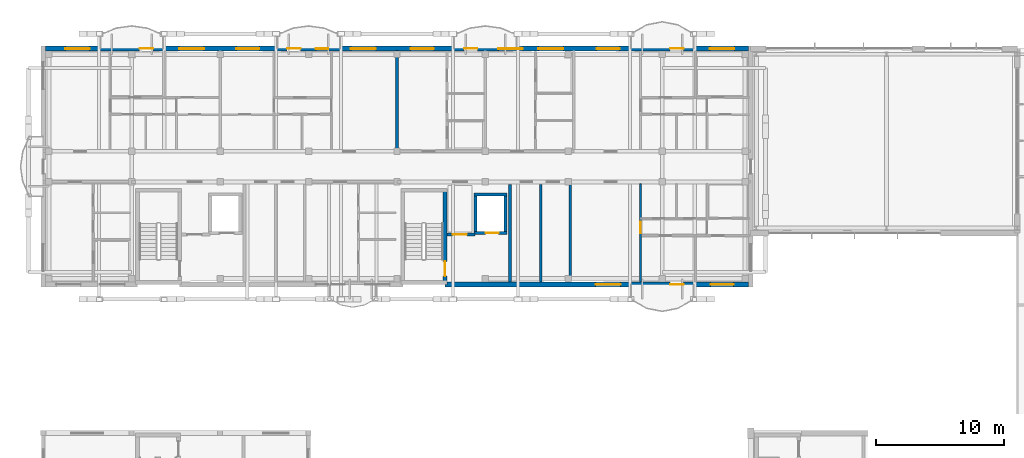
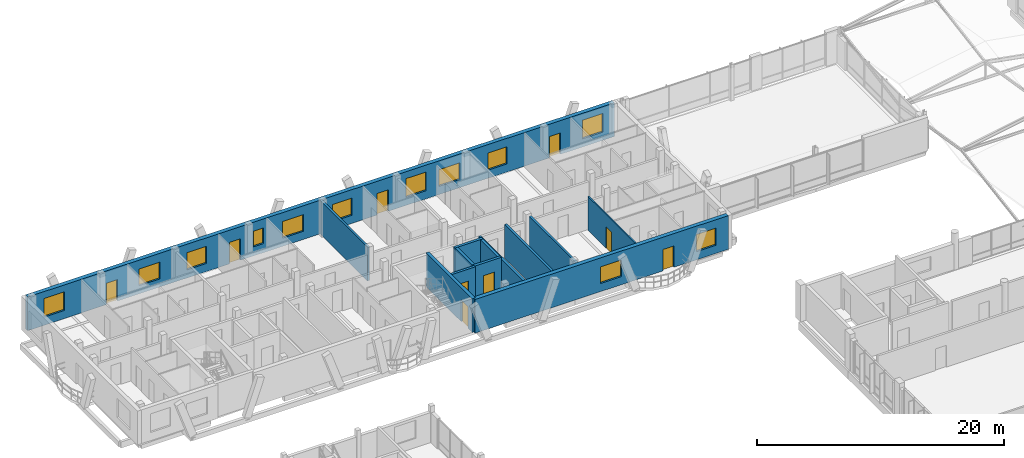
# One storey, part 153 of 189: 13 walls, 12 windows, 9 doors, 21 openings.
"""IFC4 building model written with IfcOpenShell, lengths in metres."""

from ifc_helpers import new_model, si_unit, direction, frame, frame_2d, origin, origin_with_axes, place, context, subcontext, project, spatial, rectangle, extrude, material, layer, layer_set, type_object, element, fill, save


model = new_model("IFC4")

# Units and contexts
model_context = context("Model", 3, precision=1e-05, world=origin(), true_north=direction((0.0, 1.0)))
body_context = subcontext(model_context, "Body", "Model", "MODEL_VIEW")
ifc_project = project(units=[si_unit("LENGTHUNIT", "METRE"), si_unit("AREAUNIT", "SQUARE_METRE"), si_unit("VOLUMEUNIT", "CUBIC_METRE"), si_unit("PLANEANGLEUNIT", "RADIAN"), si_unit("MASSUNIT", "GRAM", prefix="KILO")], contexts=[model_context])

# Site, building, storey
site_placement = place(None, origin())
site = spatial("IfcSite", under=ifc_project, at=site_placement, CompositionType="ELEMENT")
building_placement = place(site_placement, origin())
building = spatial("IfcBuilding", under=site, at=building_placement, Name="Zavelmont Quarter", CompositionType="ELEMENT")
storey_placement = place(building_placement, frame((0.0, 0.0, 4.39990234375)))
storey = spatial("IfcBuildingStorey", under=building, at=storey_placement, Name="L01", CompositionType="ELEMENT", Elevation=4.39990234375)

# Wall, openings, door, windows
ifc_material_1 = material(Name="Natural Belgian limestone", Category="masonry")
ifc_layer_1 = layer(ifc_material_1, 0.3798828125)
ifc_layer_set_1 = layer_set([ifc_layer_1], Name="Natural Belgian limestone")
wall_type_1 = type_object("IfcWallType", Name="EW01", PredefinedType="STANDARD", material=ifc_layer_set_1)
wall_1_placement = place(storey_placement, frame((31.35009765625, 97.60009765625, 0.0), z_axis=(0.0, 0.0, 1.0), x_axis=(1.0, 0.0, 0.0)))
wall_1 = element("IfcWall", 1, at=wall_1_placement, inside=storey, type_object=wall_type_1, Name="L01 exterior limestone wall EW01", PredefinedType="STANDARD", context=body_context, shape_type="SweptSolid", body=[
    extrude(rectangle(XDim=23.669921875, YDim=0.3798828125, at=frame_2d((11.8349609375, 0.0))), origin(), (0.0, 0.0, 1.0), 3.330078125),
])
opening_1_placement = place(wall_1_placement, frame((17.570068359375, 0.0, 0.0)))
opening_1 = element("IfcOpeningElement", 2, at=opening_1_placement, cuts=wall_1, Name="Opening DR04A", PredefinedType="OPENING", context=body_context, shape_type="SweptSolid", body=[
    extrude(rectangle(XDim=1.050048828125, YDim=2.1201171875, at=frame_2d((0.52490234375, 1.06005859375))), frame((0.0, 0.201904296875, 0.0), z_axis=(0.0, -1.0, 0.0), x_axis=(1.0, 0.0, 0.0)), (0.0, 0.0, 1.0), 0.40380859375),
])
opening_2_placement = place(wall_1_placement, frame((11.7451171875, 0.0, 0.800048828125)))
opening_2 = element("IfcOpeningElement", 3, at=opening_2_placement, cuts=wall_1, Name="Opening WN24", PredefinedType="OPENING", context=body_context, shape_type="SweptSolid", body=[
    extrude(rectangle(XDim=1.949951171875, YDim=1.64990234375, at=frame_2d((0.97509765625, 0.824951171875))), frame((0.0, 0.201904296875, 0.0), z_axis=(0.0, -1.0, 0.0), x_axis=(1.0, 0.0, 0.0)), (0.0, 0.0, 1.0), 0.40380859375),
])
opening_3_placement = place(wall_1_placement, frame((20.719970703125, 0.0, 0.800048828125)))
opening_3 = element("IfcOpeningElement", 4, at=opening_3_placement, cuts=wall_1, Name="Opening WN02", PredefinedType="OPENING", context=body_context, shape_type="SweptSolid", body=[
    extrude(rectangle(XDim=1.800048828125, YDim=1.699951171875, at=frame_2d((0.89990234375, 0.85009765625))), frame((0.0, 0.201904296875, 0.0), z_axis=(0.0, -1.0, 0.0), x_axis=(1.0, 0.0, 0.0)), (0.0, 0.0, 1.0), 0.40380859375),
])
ifc_material_2 = material(Name="Thermally broken aluminium and double safety glass", Category="aluminium")
door_type_1 = type_object("IfcDoorType", Name="DR04A", OperationType="NOTDEFINED", PredefinedType="DOOR", material=ifc_material_2)
door_1_placement = place(opening_1_placement, origin_with_axes())
door_1 = element("IfcDoor", 5, at=door_1_placement, inside=storey, type_object=door_type_1, Name="Block B L01 glazed balcony door", OperationType="SINGLE_SWING_LEFT", OverallHeight=2.1201171875, OverallWidth=1.050048828125, PredefinedType="DOOR", context=body_context, shape_type="SweptSolid", body=[
    extrude(rectangle(XDim=1.050048828125, YDim=2.1201171875, at=frame_2d((0.52490234375, 1.06005859375))), frame((0.0, 0.02490234375, 0.0), z_axis=(0.0, -1.0, 0.0), x_axis=(1.0, 0.0, 0.0)), (0.0, 0.0, 1.0), 0.050048828125),
])
fill(opening_1, door_1)
ifc_material_3 = material(Name="Double low-E insulated glazing in thermally broken aluminium frame", Category="aluminium")
window_type_1 = type_object("IfcWindowType", Name="WN02", PartitioningType="SINGLE_PANEL", PredefinedType="WINDOW", material=ifc_material_3)
window_1_placement = place(opening_3_placement, origin_with_axes())
window_1 = element("IfcWindow", 6, at=window_1_placement, inside=storey, type_object=window_type_1, Name="L01 window WN02", OverallHeight=1.699951171875, OverallWidth=1.800048828125, PartitioningType="SINGLE_PANEL", PredefinedType="WINDOW", context=body_context, shape_type="SweptSolid", body=[
    extrude(rectangle(XDim=1.800048828125, YDim=1.699951171875, at=frame_2d((0.89990234375, 0.85009765625))), frame((0.0, 0.030029296875, 0.0), z_axis=(0.0, -1.0, 0.0), x_axis=(1.0, 0.0, 0.0)), (0.0, 0.0, 1.0), 0.06005859375),
])
fill(opening_3, window_1)
window_type_2 = type_object("IfcWindowType", Name="WN24", PartitioningType="SINGLE_PANEL", PredefinedType="WINDOW", material=ifc_material_3)
window_2_placement = place(opening_2_placement, origin_with_axes())
window_2 = element("IfcWindow", 7, at=window_2_placement, inside=storey, type_object=window_type_2, Name="L01 window WN24", OverallHeight=1.64990234375, OverallWidth=1.949951171875, PartitioningType="SINGLE_PANEL", PredefinedType="WINDOW", context=body_context, shape_type="SweptSolid", body=[
    extrude(rectangle(XDim=1.949951171875, YDim=1.64990234375, at=frame_2d((0.97509765625, 0.824951171875))), frame((0.0, 0.030029296875, 0.0), z_axis=(0.0, -1.0, 0.0), x_axis=(1.0, 0.0, 0.0)), (0.0, 0.0, 1.0), 0.06005859375),
])
fill(opening_2, window_2)

# Wall, openings, doors, windows
wall_2_placement = place(storey_placement, frame((0.179931640625, 116.0, 0.0), z_axis=(0.0, 0.0, 1.0), x_axis=(1.0, 0.0, 0.0)))
wall_2 = element("IfcWall", 8, at=wall_2_placement, inside=storey, type_object=wall_type_1, Name="L01 exterior limestone wall EW01", PredefinedType="STANDARD", context=body_context, shape_type="SweptSolid", body=[
    extrude(rectangle(XDim=54.840087890625, YDim=0.3798828125, at=frame_2d((27.419921875, 0.0))), origin(), (0.0, 0.0, 1.0), 3.330078125),
])
opening_4_placement = place(wall_2_placement, frame((7.340087890625, 0.0, 0.0)))
opening_4 = element("IfcOpeningElement", 9, at=opening_4_placement, cuts=wall_2, Name="Opening DR04A", PredefinedType="OPENING", context=body_context, shape_type="SweptSolid", body=[
    extrude(rectangle(XDim=1.050048828125, YDim=2.1201171875, at=frame_2d((0.52490234375, 1.06005859375))), frame((0.0, 0.201904296875, 0.0), z_axis=(0.0, -1.0, 0.0), x_axis=(1.0, 0.0, 0.0)), (0.0, 0.0, 1.0), 0.40380859375),
])
opening_5_placement = place(wall_2_placement, frame((18.850830078125, 0.0, 0.0)))
opening_5 = element("IfcOpeningElement", 10, at=opening_5_placement, cuts=wall_2, Name="Opening DR04A", PredefinedType="OPENING", context=body_context, shape_type="SweptSolid", body=[
    extrude(rectangle(XDim=1.050048828125, YDim=2.1201171875, at=frame_2d((0.52490234375, 1.06005859375))), frame((0.0, 0.201904296875, 0.0), z_axis=(0.0, -1.0, 0.0), x_axis=(1.0, 0.0, 0.0)), (0.0, 0.0, 1.0), 0.40380859375),
])
opening_6_placement = place(wall_2_placement, frame((32.65087890625, 0.0, 0.0)))
opening_6 = element("IfcOpeningElement", 11, at=opening_6_placement, cuts=wall_2, Name="Opening DR04A", PredefinedType="OPENING", context=body_context, shape_type="SweptSolid", body=[
    extrude(rectangle(XDim=1.050048828125, YDim=2.1201171875, at=frame_2d((0.52490234375, 1.06005859375))), frame((0.0, 0.201904296875, 0.0), z_axis=(0.0, -1.0, 0.0), x_axis=(1.0, 0.0, 0.0)), (0.0, 0.0, 1.0), 0.40380859375),
])
opening_7_placement = place(wall_2_placement, frame((48.739990234375, 0.0, 0.0)))
opening_7 = element("IfcOpeningElement", 12, at=opening_7_placement, cuts=wall_2, Name="Opening DR04A", PredefinedType="OPENING", context=body_context, shape_type="SweptSolid", body=[
    extrude(rectangle(XDim=1.050048828125, YDim=2.1201171875, at=frame_2d((0.52490234375, 1.06005859375))), frame((0.0, 0.201904296875, 0.0), z_axis=(0.0, -1.0, 0.0), x_axis=(1.0, 0.0, 0.0)), (0.0, 0.0, 1.0), 0.40380859375),
])
opening_8_placement = place(wall_2_placement, frame((1.5400390625, 0.0, 0.800048828125)))
opening_8 = element("IfcOpeningElement", 13, at=opening_8_placement, cuts=wall_2, Name="Opening WN20", PredefinedType="OPENING", context=body_context, shape_type="SweptSolid", body=[
    extrude(rectangle(XDim=1.89990234375, YDim=1.85009765625, at=frame_2d((0.949951171875, 0.925048828125))), frame((0.0, 0.201904296875, 0.0), z_axis=(0.0, -1.0, 0.0), x_axis=(1.0, 0.0, 0.0)), (0.0, 0.0, 1.0), 0.40380859375),
])
opening_9_placement = place(wall_2_placement, frame((10.4150390625, 0.0, 0.800048828125)))
opening_9 = element("IfcOpeningElement", 14, at=opening_9_placement, cuts=wall_2, Name="Opening WN24", PredefinedType="OPENING", context=body_context, shape_type="SweptSolid", body=[
    extrude(rectangle(XDim=1.949951171875, YDim=1.64990234375, at=frame_2d((0.97509765625, 0.824951171875))), frame((0.0, 0.201904296875, 0.0), z_axis=(0.0, -1.0, 0.0), x_axis=(1.0, 0.0, 0.0)), (0.0, 0.0, 1.0), 0.40380859375),
])
opening_10_placement = place(wall_2_placement, frame((14.889892578125, 0.0, 0.800048828125)))
opening_10 = element("IfcOpeningElement", 15, at=opening_10_placement, cuts=wall_2, Name="Opening WN02", PredefinedType="OPENING", context=body_context, shape_type="SweptSolid", body=[
    extrude(rectangle(XDim=1.800048828125, YDim=1.699951171875, at=frame_2d((0.89990234375, 0.85009765625))), frame((0.0, 0.201904296875, 0.0), z_axis=(0.0, -1.0, 0.0), x_axis=(1.0, 0.0, 0.0)), (0.0, 0.0, 1.0), 0.40380859375),
])
opening_11_placement = place(wall_2_placement, frame((21.090087890625, 0.0, 0.89990234375)))
opening_11 = element("IfcOpeningElement", 16, at=opening_11_placement, cuts=wall_2, Name="Opening WN04", PredefinedType="OPENING", context=body_context, shape_type="SweptSolid", body=[
    extrude(rectangle(XDim=0.949951171875, YDim=1.550048828125, at=frame_2d((0.47509765625, 0.77490234375))), frame((0.0, 0.201904296875, 0.0), z_axis=(0.0, -1.0, 0.0), x_axis=(1.0, 0.0, 0.0)), (0.0, 0.0, 1.0), 0.40380859375),
])
opening_12_placement = place(wall_2_placement, frame((23.81494140625, 0.0, 0.800048828125)))
opening_12 = element("IfcOpeningElement", 17, at=opening_12_placement, cuts=wall_2, Name="Opening WN24", PredefinedType="OPENING", context=body_context, shape_type="SweptSolid", body=[
    extrude(rectangle(XDim=1.949951171875, YDim=1.64990234375, at=frame_2d((0.97509765625, 0.824951171875))), frame((0.0, 0.201904296875, 0.0), z_axis=(0.0, -1.0, 0.0), x_axis=(1.0, 0.0, 0.0)), (0.0, 0.0, 1.0), 0.40380859375),
])
opening_13_placement = place(wall_2_placement, frame((28.489990234375, 0.0, 0.800048828125)))
opening_13 = element("IfcOpeningElement", 18, at=opening_13_placement, cuts=wall_2, Name="Opening WN02", PredefinedType="OPENING", context=body_context, shape_type="SweptSolid", body=[
    extrude(rectangle(XDim=1.800048828125, YDim=1.699951171875, at=frame_2d((0.89990234375, 0.85009765625))), frame((0.0, 0.201904296875, 0.0), z_axis=(0.0, -1.0, 0.0), x_axis=(1.0, 0.0, 0.0)), (0.0, 0.0, 1.0), 0.40380859375),
])
opening_14_placement = place(wall_2_placement, frame((35.340087890625, 0.0, 0.800048828125)))
opening_14 = element("IfcOpeningElement", 19, at=opening_14_placement, cuts=wall_2, Name="Opening WN20", PredefinedType="OPENING", context=body_context, shape_type="SweptSolid", body=[
    extrude(rectangle(XDim=1.89990234375, YDim=1.85009765625, at=frame_2d((0.949951171875, 0.925048828125))), frame((0.0, 0.201904296875, 0.0), z_axis=(0.0, -1.0, 0.0), x_axis=(1.0, 0.0, 0.0)), (0.0, 0.0, 1.0), 0.40380859375),
])
opening_15_placement = place(wall_2_placement, frame((38.455078125, 0.0, 0.800048828125)))
opening_15 = element("IfcOpeningElement", 20, at=opening_15_placement, cuts=wall_2, Name="Opening WN24", PredefinedType="OPENING", context=body_context, shape_type="SweptSolid", body=[
    extrude(rectangle(XDim=1.949951171875, YDim=1.64990234375, at=frame_2d((0.97509765625, 0.824951171875))), frame((0.0, 0.201904296875, 0.0), z_axis=(0.0, -1.0, 0.0), x_axis=(1.0, 0.0, 0.0)), (0.0, 0.0, 1.0), 0.40380859375),
])
opening_16_placement = place(wall_2_placement, frame((42.989990234375, 0.0, 0.800048828125)))
opening_16 = element("IfcOpeningElement", 21, at=opening_16_placement, cuts=wall_2, Name="Opening WN02", PredefinedType="OPENING", context=body_context, shape_type="SweptSolid", body=[
    extrude(rectangle(XDim=1.800048828125, YDim=1.699951171875, at=frame_2d((0.89990234375, 0.85009765625))), frame((0.0, 0.201904296875, 0.0), z_axis=(0.0, -1.0, 0.0), x_axis=(1.0, 0.0, 0.0)), (0.0, 0.0, 1.0), 0.40380859375),
])
opening_17_placement = place(wall_2_placement, frame((51.840087890625, 0.0, 0.800048828125)))
opening_17 = element("IfcOpeningElement", 22, at=opening_17_placement, cuts=wall_2, Name="Opening WN20", PredefinedType="OPENING", context=body_context, shape_type="SweptSolid", body=[
    extrude(rectangle(XDim=1.89990234375, YDim=1.85009765625, at=frame_2d((0.949951171875, 0.925048828125))), frame((0.0, 0.201904296875, 0.0), z_axis=(0.0, -1.0, 0.0), x_axis=(1.0, 0.0, 0.0)), (0.0, 0.0, 1.0), 0.40380859375),
])
door_2_placement = place(opening_4_placement, frame((1.050048828125, 0.0, 0.0), z_axis=(0.0, 0.0, 1.0), x_axis=(-1.0, 0.0, 0.0)))
door_2 = element("IfcDoor", 23, at=door_2_placement, inside=storey, type_object=door_type_1, Name="Block B L01 glazed balcony door", OperationType="SINGLE_SWING_RIGHT", OverallHeight=2.1201171875, OverallWidth=1.050048828125, PredefinedType="DOOR", context=body_context, shape_type="SweptSolid", body=[
    extrude(rectangle(XDim=1.050048828125, YDim=2.1201171875, at=frame_2d((0.52490234375, 1.06005859375))), frame((0.0, 0.02490234375, 0.0), z_axis=(0.0, -1.0, 0.0), x_axis=(1.0, 0.0, 0.0)), (0.0, 0.0, 1.0), 0.050048828125),
])
fill(opening_4, door_2)
door_3_placement = place(opening_5_placement, frame((1.050048828125, 0.0, 0.0), z_axis=(0.0, 0.0, 1.0), x_axis=(-1.0, 0.0, 0.0)))
door_3 = element("IfcDoor", 24, at=door_3_placement, inside=storey, type_object=door_type_1, Name="Block B L01 glazed balcony door", OperationType="SINGLE_SWING_LEFT", OverallHeight=2.1201171875, OverallWidth=1.050048828125, PredefinedType="DOOR", context=body_context, shape_type="SweptSolid", body=[
    extrude(rectangle(XDim=1.050048828125, YDim=2.1201171875, at=frame_2d((0.52490234375, 1.06005859375))), frame((0.0, 0.02490234375, 0.0), z_axis=(0.0, -1.0, 0.0), x_axis=(1.0, 0.0, 0.0)), (0.0, 0.0, 1.0), 0.050048828125),
])
fill(opening_5, door_3)
door_4_placement = place(opening_6_placement, frame((1.050048828125, 0.0, 0.0), z_axis=(0.0, 0.0, 1.0), x_axis=(-1.0, 0.0, 0.0)))
door_4 = element("IfcDoor", 25, at=door_4_placement, inside=storey, type_object=door_type_1, Name="Block B L01 glazed balcony door", OperationType="SINGLE_SWING_LEFT", OverallHeight=2.1201171875, OverallWidth=1.050048828125, PredefinedType="DOOR", context=body_context, shape_type="SweptSolid", body=[
    extrude(rectangle(XDim=1.050048828125, YDim=2.1201171875, at=frame_2d((0.52490234375, 1.06005859375))), frame((0.0, 0.02490234375, 0.0), z_axis=(0.0, -1.0, 0.0), x_axis=(1.0, 0.0, 0.0)), (0.0, 0.0, 1.0), 0.050048828125),
])
fill(opening_6, door_4)
door_5_placement = place(opening_7_placement, frame((1.050048828125, 0.0, 0.0), z_axis=(0.0, 0.0, 1.0), x_axis=(-1.0, 0.0, 0.0)))
door_5 = element("IfcDoor", 26, at=door_5_placement, inside=storey, type_object=door_type_1, Name="Block B L01 glazed balcony door", OperationType="SINGLE_SWING_RIGHT", OverallHeight=2.1201171875, OverallWidth=1.050048828125, PredefinedType="DOOR", context=body_context, shape_type="SweptSolid", body=[
    extrude(rectangle(XDim=1.050048828125, YDim=2.1201171875, at=frame_2d((0.52490234375, 1.06005859375))), frame((0.0, 0.02490234375, 0.0), z_axis=(0.0, -1.0, 0.0), x_axis=(1.0, 0.0, 0.0)), (0.0, 0.0, 1.0), 0.050048828125),
])
fill(opening_7, door_5)
window_3_placement = place(opening_10_placement, origin_with_axes())
window_3 = element("IfcWindow", 27, at=window_3_placement, inside=storey, type_object=window_type_1, Name="L01 window WN02", OverallHeight=1.699951171875, OverallWidth=1.800048828125, PartitioningType="SINGLE_PANEL", PredefinedType="WINDOW", context=body_context, shape_type="SweptSolid", body=[
    extrude(rectangle(XDim=1.800048828125, YDim=1.699951171875, at=frame_2d((0.89990234375, 0.85009765625))), frame((0.0, 0.030029296875, 0.0), z_axis=(0.0, -1.0, 0.0), x_axis=(1.0, 0.0, 0.0)), (0.0, 0.0, 1.0), 0.06005859375),
])
fill(opening_10, window_3)
window_4_placement = place(opening_13_placement, origin_with_axes())
window_4 = element("IfcWindow", 28, at=window_4_placement, inside=storey, type_object=window_type_1, Name="L01 window WN02", OverallHeight=1.699951171875, OverallWidth=1.800048828125, PartitioningType="SINGLE_PANEL", PredefinedType="WINDOW", context=body_context, shape_type="SweptSolid", body=[
    extrude(rectangle(XDim=1.800048828125, YDim=1.699951171875, at=frame_2d((0.89990234375, 0.85009765625))), frame((0.0, 0.030029296875, 0.0), z_axis=(0.0, -1.0, 0.0), x_axis=(1.0, 0.0, 0.0)), (0.0, 0.0, 1.0), 0.06005859375),
])
fill(opening_13, window_4)
window_5_placement = place(opening_16_placement, origin_with_axes())
window_5 = element("IfcWindow", 29, at=window_5_placement, inside=storey, type_object=window_type_1, Name="L01 window WN02", OverallHeight=1.699951171875, OverallWidth=1.800048828125, PartitioningType="SINGLE_PANEL", PredefinedType="WINDOW", context=body_context, shape_type="SweptSolid", body=[
    extrude(rectangle(XDim=1.800048828125, YDim=1.699951171875, at=frame_2d((0.89990234375, 0.85009765625))), frame((0.0, 0.030029296875, 0.0), z_axis=(0.0, -1.0, 0.0), x_axis=(1.0, 0.0, 0.0)), (0.0, 0.0, 1.0), 0.06005859375),
])
fill(opening_16, window_5)
window_type_3 = type_object("IfcWindowType", Name="WN04", PartitioningType="SINGLE_PANEL", PredefinedType="WINDOW", material=ifc_material_3)
window_6_placement = place(opening_11_placement, origin_with_axes())
window_6 = element("IfcWindow", 30, at=window_6_placement, inside=storey, type_object=window_type_3, Name="L01 window WN04", OverallHeight=1.550048828125, OverallWidth=0.949951171875, PartitioningType="SINGLE_PANEL", PredefinedType="WINDOW", context=body_context, shape_type="SweptSolid", body=[
    extrude(rectangle(XDim=0.949951171875, YDim=1.550048828125, at=frame_2d((0.47509765625, 0.77490234375))), frame((0.0, 0.030029296875, 0.0), z_axis=(0.0, -1.0, 0.0), x_axis=(1.0, 0.0, 0.0)), (0.0, 0.0, 1.0), 0.06005859375),
])
fill(opening_11, window_6)
window_type_4 = type_object("IfcWindowType", Name="WN20", PartitioningType="SINGLE_PANEL", PredefinedType="WINDOW", material=ifc_material_3)
window_7_placement = place(opening_8_placement, origin_with_axes())
window_7 = element("IfcWindow", 31, at=window_7_placement, inside=storey, type_object=window_type_4, Name="L01 window WN20", OverallHeight=1.85009765625, OverallWidth=1.89990234375, PartitioningType="SINGLE_PANEL", PredefinedType="WINDOW", context=body_context, shape_type="SweptSolid", body=[
    extrude(rectangle(XDim=1.89990234375, YDim=1.85009765625, at=frame_2d((0.949951171875, 0.925048828125))), frame((0.0, 0.030029296875, 0.0), z_axis=(0.0, -1.0, 0.0), x_axis=(1.0, 0.0, 0.0)), (0.0, 0.0, 1.0), 0.06005859375),
])
fill(opening_8, window_7)
window_8_placement = place(opening_14_placement, origin_with_axes())
window_8 = element("IfcWindow", 32, at=window_8_placement, inside=storey, type_object=window_type_4, Name="L01 window WN20", OverallHeight=1.85009765625, OverallWidth=1.89990234375, PartitioningType="SINGLE_PANEL", PredefinedType="WINDOW", context=body_context, shape_type="SweptSolid", body=[
    extrude(rectangle(XDim=1.89990234375, YDim=1.85009765625, at=frame_2d((0.949951171875, 0.925048828125))), frame((0.0, 0.030029296875, 0.0), z_axis=(0.0, -1.0, 0.0), x_axis=(1.0, 0.0, 0.0)), (0.0, 0.0, 1.0), 0.06005859375),
])
fill(opening_14, window_8)
window_9_placement = place(opening_17_placement, origin_with_axes())
window_9 = element("IfcWindow", 33, at=window_9_placement, inside=storey, type_object=window_type_4, Name="L01 window WN20", OverallHeight=1.85009765625, OverallWidth=1.89990234375, PartitioningType="SINGLE_PANEL", PredefinedType="WINDOW", context=body_context, shape_type="SweptSolid", body=[
    extrude(rectangle(XDim=1.89990234375, YDim=1.85009765625, at=frame_2d((0.949951171875, 0.925048828125))), frame((0.0, 0.030029296875, 0.0), z_axis=(0.0, -1.0, 0.0), x_axis=(1.0, 0.0, 0.0)), (0.0, 0.0, 1.0), 0.06005859375),
])
fill(opening_17, window_9)
window_10_placement = place(opening_9_placement, origin_with_axes())
window_10 = element("IfcWindow", 34, at=window_10_placement, inside=storey, type_object=window_type_2, Name="L01 window WN24", OverallHeight=1.64990234375, OverallWidth=1.949951171875, PartitioningType="SINGLE_PANEL", PredefinedType="WINDOW", context=body_context, shape_type="SweptSolid", body=[
    extrude(rectangle(XDim=1.949951171875, YDim=1.64990234375, at=frame_2d((0.97509765625, 0.824951171875))), frame((0.0, 0.030029296875, 0.0), z_axis=(0.0, -1.0, 0.0), x_axis=(1.0, 0.0, 0.0)), (0.0, 0.0, 1.0), 0.06005859375),
])
fill(opening_9, window_10)
window_11_placement = place(opening_12_placement, origin_with_axes())
window_11 = element("IfcWindow", 35, at=window_11_placement, inside=storey, type_object=window_type_2, Name="L01 window WN24", OverallHeight=1.64990234375, OverallWidth=1.949951171875, PartitioningType="SINGLE_PANEL", PredefinedType="WINDOW", context=body_context, shape_type="SweptSolid", body=[
    extrude(rectangle(XDim=1.949951171875, YDim=1.64990234375, at=frame_2d((0.97509765625, 0.824951171875))), frame((0.0, 0.030029296875, 0.0), z_axis=(0.0, -1.0, 0.0), x_axis=(1.0, 0.0, 0.0)), (0.0, 0.0, 1.0), 0.06005859375),
])
fill(opening_12, window_11)
window_12_placement = place(opening_15_placement, origin_with_axes())
window_12 = element("IfcWindow", 36, at=window_12_placement, inside=storey, type_object=window_type_2, Name="L01 window WN24", OverallHeight=1.64990234375, OverallWidth=1.949951171875, PartitioningType="SINGLE_PANEL", PredefinedType="WINDOW", context=body_context, shape_type="SweptSolid", body=[
    extrude(rectangle(XDim=1.949951171875, YDim=1.64990234375, at=frame_2d((0.97509765625, 0.824951171875))), frame((0.0, 0.030029296875, 0.0), z_axis=(0.0, -1.0, 0.0), x_axis=(1.0, 0.0, 0.0)), (0.0, 0.0, 1.0), 0.06005859375),
])
fill(opening_15, window_12)

# Walls
ifc_material_4 = material(Name="Calcium-silicate blockwork and acoustic plaster", Category="masonry")
ifc_layer_2 = layer(ifc_material_4, 0.199951171875)
ifc_layer_set_2 = layer_set([ifc_layer_2], Name="Calcium-silicate blockwork and acoustic plaster")
wall_type_2 = type_object("IfcWallType", Name="IW01", PredefinedType="PARTITIONING", material=ifc_layer_set_2)
for number, where, z_axis, x_axis, name in (
    (37, (38.824951171875, 97.800048828125, 0.0), (0.0, 0.0, 1.0), (0.0, 1.0, 0.0), "L01 Service riser divider wall IW01"),
    (38, (41.1201171875, 97.800048828125, 0.0), (0.0, 0.0, 1.0), (0.0, 1.0, 0.0), "L01 Core service end wall IW01"),
):
    element("IfcWall", number, at=place(storey_placement, frame(where, z_axis=z_axis, x_axis=x_axis)), inside=storey, type_object=wall_type_2, Name=name, PredefinedType="PARTITIONING", context=body_context, shape_type="SweptSolid", body=[
        extrude(rectangle(XDim=7.599853515625, YDim=0.199951171875, at=frame_2d((3.7998046875, 0.0))), origin(), (0.0, 0.0, 1.0), 3.330078125),
    ])
wall_3_placement = place(storey_placement, frame((27.60009765625, 108.14990234375, 0.0), z_axis=(0.0, 0.0, 1.0), x_axis=(0.0, 1.0, 0.0)))
element("IfcWall", 39, at=wall_3_placement, inside=storey, type_object=wall_type_2, Name="L01 Inter-dwelling compartment wall IW01", PredefinedType="PARTITIONING", context=body_context, shape_type="SweptSolid", body=[
    extrude(rectangle(XDim=7.7001953125, YDim=0.199951171875, at=frame_2d((3.85009765625, 0.0))), origin(), (0.0, 0.0, 1.0), 3.330078125),
])
ifc_material_5 = material(Name="Reinforced masonry fire compartment wall", Category="masonry")
ifc_layer_3 = layer(ifc_material_5, 0.22509765625)
ifc_layer_set_3 = layer_set([ifc_layer_3], Name="Reinforced masonry fire compartment wall")
wall_type_3 = type_object("IfcWallType", Name="IW02", PredefinedType="PARTITIONING", material=ifc_layer_set_3)
wall_4_placement = place(storey_placement, frame((36.409912109375, 97.800048828125, 0.0), z_axis=(0.0, 0.0, 1.0), x_axis=(0.0, 1.0, 0.0)))
element("IfcWall", 40, at=wall_4_placement, inside=storey, type_object=wall_type_3, Name="L01 Firefighting lobby enclosure wall IW02", PredefinedType="PARTITIONING", context=body_context, shape_type="SweptSolid", body=[
    extrude(rectangle(XDim=7.599853515625, YDim=0.22509765625, at=frame_2d((3.7998046875, 0.0))), origin(), (0.0, 0.0, 1.0), 2.989990234375),
])

# Wall, opening, door
wall_5_placement = place(storey_placement, frame((31.5, 101.5, 0.0), z_axis=(0.0, 0.0, 1.0), x_axis=(1.0, 0.0, 0.0)))
wall_5 = element("IfcWall", 41, at=wall_5_placement, inside=storey, type_object=wall_type_3, Name="L01 Firefighting lobby threshold wall IW02", PredefinedType="PARTITIONING", context=body_context, shape_type="SweptSolid", body=[
    extrude(rectangle(XDim=2.199951171875, YDim=0.22509765625, at=frame_2d((1.10009765625, 0.0))), origin(), (0.0, 0.0, 1.0), 3.330078125),
])
opening_18_placement = place(wall_5_placement, frame((0.449951171875, 0.0, 0.0)))
opening_18 = element("IfcOpeningElement", 42, at=opening_18_placement, cuts=wall_5, Name="Opening DR10", PredefinedType="OPENING", context=body_context, shape_type="SweptSolid", body=[
    extrude(rectangle(XDim=1.10009765625, YDim=2.14990234375, at=frame_2d((0.550048828125, 1.074951171875))), frame((0.0, 0.12451171875, 0.0), z_axis=(0.0, -1.0, 0.0), x_axis=(1.0, 0.0, 0.0)), (0.0, 0.0, 1.0), 0.2490234375),
])
ifc_material_6 = material(Name="Painted steel lobby fire door", Category="steel")
door_type_2 = type_object("IfcDoorType", Name="DR10", OperationType="NOTDEFINED", PredefinedType="DOOR", material=ifc_material_6)
door_6_placement = place(opening_18_placement, frame((1.10009765625, 0.0, 0.0), z_axis=(0.0, 0.0, 1.0), x_axis=(-1.0, 0.0, 0.0)))
door_6 = element("IfcDoor", 43, at=door_6_placement, inside=storey, type_object=door_type_2, Name="Firefighting lobby fire door", OperationType="SINGLE_SWING_RIGHT", OverallHeight=2.14990234375, OverallWidth=1.10009765625, PredefinedType="DOOR", context=body_context, shape_type="SweptSolid", body=[
    extrude(rectangle(XDim=1.10009765625, YDim=2.14990234375, at=frame_2d((0.550048828125, 1.074951171875))), frame((0.0, 0.02490234375, 0.0), z_axis=(0.0, -1.0, 0.0), x_axis=(1.0, 0.0, 0.0)), (0.0, 0.0, 1.0), 0.050048828125),
])
fill(opening_18, door_6)

ifc_material_7 = material(Name="Double gypsum board on acoustic steel stud", Category="steel")
ifc_layer_4 = layer(ifc_material_7, 0.125)
ifc_layer_set_4 = layer_set([ifc_layer_4], Name="Double gypsum board on acoustic steel stud")
wall_type_4 = type_object("IfcWallType", Name="IW03", PredefinedType="PARTITIONING", material=ifc_layer_set_4)
wall_6_placement = place(storey_placement, frame((46.60009765625, 105.449951171875, 0.0), z_axis=(0.0, 0.0, 1.0), x_axis=(0.0, -1.0, 0.0)))
wall_6 = element("IfcWall", 44, at=wall_6_placement, inside=storey, type_object=wall_type_4, Name="L01 Partition IW03", PredefinedType="PARTITIONING", context=body_context, shape_type="SweptSolid", body=[
    extrude(rectangle(XDim=7.64990234375, YDim=0.125, at=frame_2d((3.824951171875, 0.0))), origin(), (0.0, 0.0, 1.0), 3.330078125),
])
opening_19_placement = place(wall_6_placement, frame((2.949951171875, 0.0, 0.0)))
opening_19 = element("IfcOpeningElement", 45, at=opening_19_placement, cuts=wall_6, Name="Opening DR05", PredefinedType="OPENING", context=body_context, shape_type="SweptSolid", body=[
    extrude(rectangle(XDim=0.89990234375, YDim=2.10009765625, at=frame_2d((0.449951171875, 1.050048828125))), frame((0.0, 0.074462890625, 0.0), z_axis=(0.0, -1.0, 0.0), x_axis=(1.0, 0.0, 0.0)), (0.0, 0.0, 1.0), 0.14892578125),
])
ifc_material_8 = material(Name="Engineered oak flush interior door")
door_type_3 = type_object("IfcDoorType", Name="DR05", OperationType="NOTDEFINED", PredefinedType="DOOR", material=ifc_material_8)
door_7_placement = place(opening_19_placement, origin_with_axes())
door_7 = element("IfcDoor", 46, at=door_7_placement, inside=storey, type_object=door_type_3, Name="L01 door DR05", OperationType="SINGLE_SWING_RIGHT", OverallHeight=2.10009765625, OverallWidth=0.89990234375, PredefinedType="DOOR", context=body_context, shape_type="SweptSolid", body=[
    extrude(rectangle(XDim=0.89990234375, YDim=2.10009765625, at=frame_2d((0.449951171875, 1.050048828125))), frame((0.0, 0.02490234375, 0.0), z_axis=(0.0, -1.0, 0.0), x_axis=(1.0, 0.0, 0.0)), (0.0, 0.0, 1.0), 0.050048828125),
])
fill(opening_19, door_7)

ifc_material_9 = material(Name="Concrete C40/50", Category="concrete")
ifc_layer_5 = layer(ifc_material_9, 0.300048828125)
ifc_layer_set_5 = layer_set([ifc_layer_5], Name="Concrete C40/50")
wall_type_5 = type_object("IfcWallType", Name="SW01", PredefinedType="SHEAR", material=ifc_layer_set_5)
wall_7_placement = place(storey_placement, frame((31.35009765625, 97.60009765625, 0.0), z_axis=(0.0, 0.0, 1.0), x_axis=(0.0, 1.0, 0.0)))
wall_7 = element("IfcWall", 47, at=wall_7_placement, inside=storey, type_object=wall_type_5, Name="L01 ST04 lobby shear wall SW01", PredefinedType="SHEAR", context=body_context, shape_type="SweptSolid", body=[
    extrude(rectangle(XDim=7.5, YDim=0.300048828125, at=frame_2d((3.75, 0.0))), origin(), (0.0, 0.0, 1.0), 3.330078125),
])
opening_20_placement = place(wall_7_placement, frame((0.64990234375, 0.0, 0.0)))
opening_20 = element("IfcOpeningElement", 48, at=opening_20_placement, cuts=wall_7, Name="Opening DR09", PredefinedType="OPENING", context=body_context, shape_type="SweptSolid", body=[
    extrude(rectangle(XDim=1.14990234375, YDim=2.14990234375, at=frame_2d((0.574951171875, 1.074951171875))), frame((0.0, 0.162109375, 0.0), z_axis=(0.0, -1.0, 0.0), x_axis=(1.0, 0.0, 0.0)), (0.0, 0.0, 1.0), 0.323974609375),
])
ifc_material_10 = material(Name="Painted steel stair-core fire door", Category="steel")
door_type_4 = type_object("IfcDoorType", Name="DR09", OperationType="NOTDEFINED", PredefinedType="DOOR", material=ifc_material_10)
door_8_placement = place(opening_20_placement, origin_with_axes())
door_8 = element("IfcDoor", 49, at=door_8_placement, inside=storey, type_object=door_type_4, Name="ST04 protected stair door", OperationType="SINGLE_SWING_RIGHT", OverallHeight=2.14990234375, OverallWidth=1.14990234375, PredefinedType="DOOR", context=body_context, shape_type="SweptSolid", body=[
    extrude(rectangle(XDim=1.14990234375, YDim=2.14990234375, at=frame_2d((0.574951171875, 1.074951171875))), frame((0.0, 0.02490234375, 0.0), z_axis=(0.0, -1.0, 0.0), x_axis=(1.0, 0.0, 0.0)), (0.0, 0.0, 1.0), 0.050048828125),
])
fill(opening_20, door_8)

ifc_layer_6 = layer(ifc_material_9, 0.25)
ifc_layer_set_6 = layer_set([ifc_layer_6], Name="Concrete C40/50")
wall_type_6 = type_object("IfcWallType", Name="SW02", PredefinedType="SHEAR", material=ifc_layer_set_6)
wall_8_placement = place(storey_placement, frame((33.60009765625, 101.625, 0.0), z_axis=(0.0, 0.0, 1.0), x_axis=(1.0, 0.0, 0.0)))
wall_8 = element("IfcWall", 50, at=wall_8_placement, inside=storey, type_object=wall_type_6, Name="L01 Lift LF04 landing shaft wall SW02", PredefinedType="SHEAR", context=body_context, shape_type="SweptSolid", body=[
    extrude(rectangle(XDim=2.599853515625, YDim=0.25, at=frame_2d((1.2998046875, 0.0))), origin(), (0.0, 0.0, 1.0), 3.330078125),
])
opening_21_placement = place(wall_8_placement, frame((0.925048828125, 0.0, 0.0)))
opening_21 = element("IfcOpeningElement", 51, at=opening_21_placement, cuts=wall_8, Name="Opening LD01", PredefinedType="OPENING", context=body_context, shape_type="SweptSolid", body=[
    extrude(rectangle(XDim=1.0, YDim=2.10009765625, at=frame_2d((0.5, 1.050048828125))), frame((0.0, 0.136962890625, 0.0), z_axis=(0.0, -1.0, 0.0), x_axis=(1.0, 0.0, 0.0)), (0.0, 0.0, 1.0), 0.27392578125),
])
ifc_material_11 = material(Name="Brushed stainless-steel automatic sliding landing door", Category="steel")
door_type_5 = type_object("IfcDoorType", Name="LD01", OperationType="SLIDING_TO_LEFT", PredefinedType="DOOR", material=ifc_material_11)
door_9_placement = place(opening_21_placement, origin_with_axes())
door_9 = element("IfcDoor", 52, at=door_9_placement, inside=storey, type_object=door_type_5, Name="Lift LF04 sliding landing door", OperationType="SLIDING_TO_LEFT", OverallHeight=2.10009765625, OverallWidth=1.0, PredefinedType="DOOR", context=body_context, shape_type="SweptSolid", body=[
    extrude(rectangle(XDim=1.0, YDim=2.10009765625, at=frame_2d((0.5, 1.050048828125))), frame((0.0, 0.02490234375, 0.0), z_axis=(0.0, -1.0, 0.0), x_axis=(1.0, 0.0, 0.0)), (0.0, 0.0, 1.0), 0.050048828125),
])
fill(opening_21, door_9)

# Walls
wall_9_placement = place(storey_placement, frame((33.60009765625, 104.625, 0.0), z_axis=(0.0, 0.0, 1.0), x_axis=(1.0, 0.0, 0.0)))
element("IfcWall", 53, at=wall_9_placement, inside=storey, type_object=wall_type_6, Name="L01 Lift LF04 back shaft wall SW02", PredefinedType="SHEAR", context=body_context, shape_type="SweptSolid", body=[
    extrude(rectangle(XDim=2.599853515625, YDim=0.25, at=frame_2d((1.2998046875, 0.0))), origin(), (0.0, 0.0, 1.0), 3.330078125),
])
for number, where, z_axis, x_axis, name in (
    (54, (33.72509765625, 101.5, 0.0), (0.0, 0.0, 1.0), (0.0, 1.0, 0.0), "L01 Lift LF04 west shaft wall SW02"),
    (55, (36.074951171875, 101.5, 0.0), (0.0, 0.0, 1.0), (0.0, 1.0, 0.0), "L01 Lift LF04 east shaft wall SW02"),
):
    element("IfcWall", number, at=place(storey_placement, frame(where, z_axis=z_axis, x_axis=x_axis)), inside=storey, type_object=wall_type_6, Name=name, PredefinedType="SHEAR", context=body_context, shape_type="SweptSolid", body=[
        extrude(rectangle(XDim=3.25, YDim=0.25, at=frame_2d((1.625, 0.0))), origin(), (0.0, 0.0, 1.0), 3.330078125),
    ])

save(model, "model.ifc")
